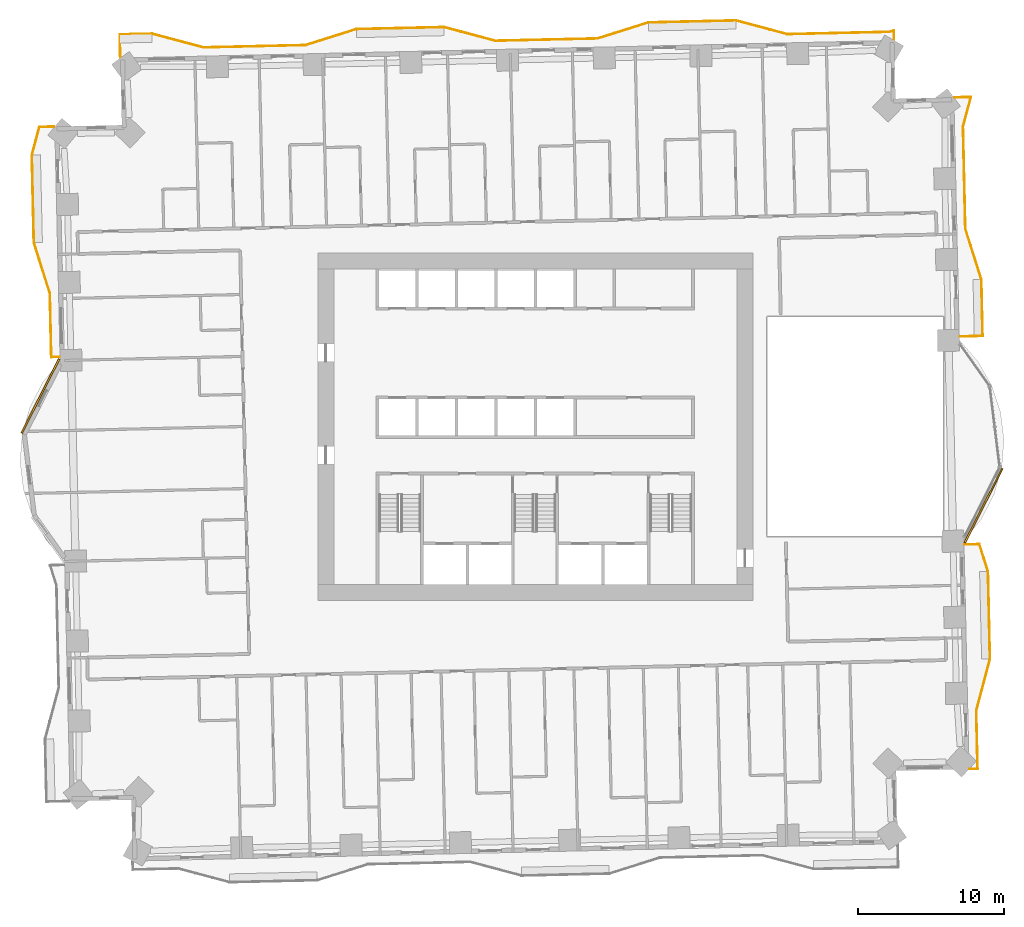
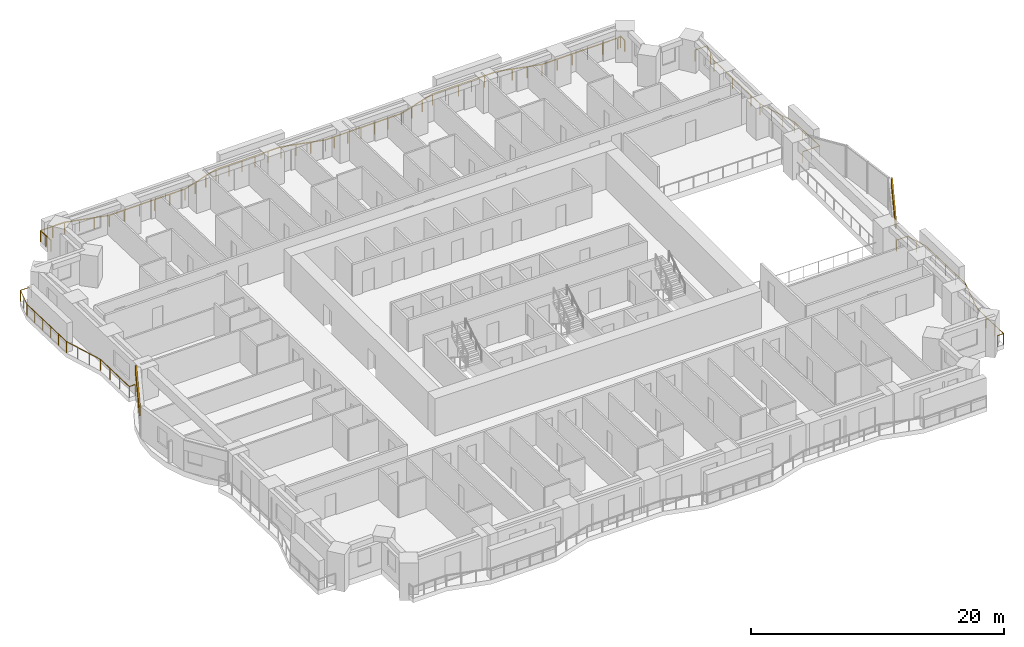
# One storey, part 16 of 16: 4 railings, 2 coverings.
"""IFC4 building model written with IfcOpenShell, lengths in metres."""

from ifc_helpers import new_model, si_unit, direction, frame, frame_2d, origin, origin_2d, place, context, subcontext, project, spatial, rectangle, extrude, material, layer, layer_set, type_object, element, save


model = new_model("IFC4")

# Units and contexts
model_context = context("Model", 3, precision=1e-05, world=origin(), true_north=direction((0.0, 1.0)))
body_context = subcontext(model_context, "Body", "Model", "MODEL_VIEW")
ifc_project = project(units=[si_unit("LENGTHUNIT", "METRE"), si_unit("AREAUNIT", "SQUARE_METRE"), si_unit("VOLUMEUNIT", "CUBIC_METRE"), si_unit("PLANEANGLEUNIT", "RADIAN"), si_unit("MASSUNIT", "GRAM", prefix="KILO")], contexts=[model_context])

# Site, building, storey
site_placement = place(None, origin())
site = spatial("IfcSite", under=ifc_project, at=site_placement, CompositionType="ELEMENT")
building_placement = place(site_placement, origin())
building = spatial("IfcBuilding", under=site, at=building_placement, Name="Mangrove Gate Tower", CompositionType="ELEMENT")
storey_placement = place(building_placement, frame((0.0, 0.0, 48.5)))
storey = spatial("IfcBuildingStorey", under=building, at=storey_placement, Name="L11", CompositionType="ELEMENT", Elevation=48.5)

# Railings
ifc_material_1 = material(Name="Stainless steel grade 316 with laminated glass infill", Category="steel")
railing_type = type_object("IfcRailingType", Name="Balcony guard 1100", PredefinedType="GUARDRAIL", material=ifc_material_1)
railing_1_placement = place(storey_placement, frame((29.742919921875, -23.444091796875, 0.0)))
element("IfcRailing", 1, at=railing_1_placement, inside=storey, type_object=railing_type, Name="GUARD L11 E1", PredefinedType="GUARDRAIL", context=body_context, shape_type="SweptSolid", body=[
    extrude(rectangle(XDim=0.048095703125, YDim=0.048095703125, at=origin_2d()), frame((0.0, 0.0, 1.076171875), z_axis=(0.999750301831, 0.022345782339, 0.0), x_axis=(-0.022345782339, 0.999750301831, 0.0)), (0.0, 0.0, 1.0), 0.54638671875),
    extrude(rectangle(XDim=0.048095703125, YDim=0.048095703125, at=origin_2d()), frame((0.546142578125, 0.01220703125, 1.076171875), z_axis=(-0.022523132843, 0.999746322067, 0.0), x_axis=(-0.999746322067, -0.022523132843, 0.0)), (0.0, 0.0, 1.0), 3.999755859375),
    extrude(rectangle(XDim=0.048095703125, YDim=0.048095703125, at=origin_2d()), frame((0.4560546875, 4.010986328125, 1.076171875), z_axis=(0.257087259162, 0.966388193831, 0.0), x_axis=(-0.966388193831, 0.257087259162, 0.0)), (0.0, 0.0, 1.0), 3.644775390625),
    extrude(rectangle(XDim=0.048095703125, YDim=0.048095703125, at=origin_2d()), frame((1.39306640625, 7.533203125, 1.076171875), z_axis=(-0.022666865795, 0.999743073592, 0.0), x_axis=(-0.999743073592, -0.022666865795, 0.0)), (0.0, 0.0, 1.0), 5.999267578125),
    extrude(rectangle(XDim=0.048095703125, YDim=0.048095703125, at=origin_2d()), frame((1.257080078125, 13.531005859375, 1.076171875), z_axis=(-0.300616640748, 0.953745057814, 0.0), x_axis=(-0.953745057814, -0.300616640748, 0.0)), (0.0, 0.0, 1.0), 1.952392578125),
    extrude(rectangle(XDim=0.048095703125, YDim=0.048095703125, at=origin_2d()), frame((0.670166015625, 15.39306640625, 1.076171875), z_axis=(-0.999746513015, -0.02251465554, 0.0), x_axis=(0.02251465554, -0.999746513015, 0.0)), (0.0, 0.0, 1.0), 1.019287109375),
    extrude(rectangle(XDim=0.0419921875, YDim=0.0419921875, at=origin_2d()), origin(), (0.0, 0.0, 1.0), 1.052001953125),
    extrude(rectangle(XDim=0.0419921875, YDim=0.0419921875, at=origin_2d()), frame((0.546142578125, 0.01220703125, 0.0)), (0.0, 0.0, 1.0), 1.052001953125),
    extrude(rectangle(XDim=0.0419921875, YDim=0.0419921875, at=origin_2d()), frame((0.51611328125, 1.34521484375, 0.0)), (0.0, 0.0, 1.0), 1.052001953125),
    extrude(rectangle(XDim=0.0419921875, YDim=0.0419921875, at=origin_2d()), frame((0.486083984375, 2.677978515625, 0.0)), (0.0, 0.0, 1.0), 1.052001953125),
    extrude(rectangle(XDim=0.0419921875, YDim=0.0419921875, at=origin_2d()), frame((0.4560546875, 4.010986328125, 0.0)), (0.0, 0.0, 1.0), 1.052001953125),
    extrude(rectangle(XDim=0.0419921875, YDim=0.0419921875, at=origin_2d()), frame((0.768310546875, 5.18505859375, 0.0)), (0.0, 0.0, 1.0), 1.052001953125),
    extrude(rectangle(XDim=0.0419921875, YDim=0.0419921875, at=origin_2d()), frame((1.080810546875, 6.359130859375, 0.0)), (0.0, 0.0, 1.0), 1.052001953125),
    extrude(rectangle(XDim=0.0419921875, YDim=0.0419921875, at=origin_2d()), frame((1.39306640625, 7.533203125, 0.0)), (0.0, 0.0, 1.0), 1.052001953125),
    extrude(rectangle(XDim=0.0419921875, YDim=0.0419921875, at=origin_2d()), frame((1.359130859375, 9.03271484375, 0.0)), (0.0, 0.0, 1.0), 1.052001953125),
    extrude(rectangle(XDim=0.0419921875, YDim=0.0419921875, at=origin_2d()), frame((1.3251953125, 10.5322265625, 0.0)), (0.0, 0.0, 1.0), 1.052001953125),
    extrude(rectangle(XDim=0.0419921875, YDim=0.0419921875, at=origin_2d()), frame((1.291015625, 12.031494140625, 0.0)), (0.0, 0.0, 1.0), 1.052001953125),
    extrude(rectangle(XDim=0.0419921875, YDim=0.0419921875, at=origin_2d()), frame((1.257080078125, 13.531005859375, 0.0)), (0.0, 0.0, 1.0), 1.052001953125),
    extrude(rectangle(XDim=0.0419921875, YDim=0.0419921875, at=origin_2d()), frame((0.963623046875, 14.4619140625, 0.0)), (0.0, 0.0, 1.0), 1.052001953125),
    extrude(rectangle(XDim=0.0419921875, YDim=0.0419921875, at=origin_2d()), frame((0.670166015625, 15.39306640625, 0.0)), (0.0, 0.0, 1.0), 1.052001953125),
    extrude(rectangle(XDim=0.0419921875, YDim=0.0419921875, at=origin_2d()), frame((-0.348876953125, 15.3701171875, 0.0)), (0.0, 0.0, 1.0), 1.052001953125),
])
railing_2_placement = place(storey_placement, frame((29.070068359375, 6.173095703125, 0.0)))
element("IfcRailing", 2, at=railing_2_placement, inside=storey, type_object=railing_type, Name="GUARD L11 E2", PredefinedType="GUARDRAIL", context=body_context, shape_type="SweptSolid", body=[
    extrude(rectangle(XDim=0.048095703125, YDim=0.048095703125, at=origin_2d()), frame((0.0, 0.0, 1.076171875), z_axis=(0.999736816093, 0.022941197622, 0.0), x_axis=(-0.022941197622, 0.999736816093, 0.0)), (0.0, 0.0, 1.0), 1.564453125),
    extrude(rectangle(XDim=0.048095703125, YDim=0.048095703125, at=origin_2d()), frame((1.56396484375, 0.035888671875, 1.076171875), z_axis=(-0.022435098042, 0.999748301512, 0.0), x_axis=(-0.999748301512, -0.022435098042, 0.0)), (0.0, 0.0, 1.0), 3.8740234375),
    extrude(rectangle(XDim=0.048095703125, YDim=0.048095703125, at=origin_2d()), frame((1.47705078125, 3.908935546875, 1.076171875), z_axis=(-0.300996735167, 0.953625170294, 0.0), x_axis=(-0.953625170294, -0.300996735167, 0.0)), (0.0, 0.0, 1.0), 3.64501953125),
    extrude(rectangle(XDim=0.048095703125, YDim=0.048095703125, at=origin_2d()), frame((0.3798828125, 7.385009765625, 1.076171875), z_axis=(-0.022706351659, 0.999742177561, 0.0), x_axis=(-0.999742177561, -0.022706351659, 0.0)), (0.0, 0.0, 1.0), 6.99951171875),
    extrude(rectangle(XDim=0.048095703125, YDim=0.048095703125, at=origin_2d()), frame((0.220947265625, 14.3828125, 1.076171875), z_axis=(0.2572322796, 0.966349602541, 0.0), x_axis=(-0.966349602541, 0.2572322796, 0.0)), (0.0, 0.0, 1.0), 2.083251953125),
    extrude(rectangle(XDim=0.048095703125, YDim=0.048095703125, at=origin_2d()), frame((0.7568359375, 16.39599609375, 1.076171875), z_axis=(-0.999751573087, -0.022288833772, 0.0), x_axis=(0.022288833772, -0.999751573087, 0.0)), (0.0, 0.0, 1.0), 1.128173828125),
    extrude(rectangle(XDim=0.0419921875, YDim=0.0419921875, at=origin_2d()), origin(), (0.0, 0.0, 1.0), 1.052001953125),
    extrude(rectangle(XDim=0.0419921875, YDim=0.0419921875, at=origin_2d()), frame((0.781982421875, 0.01806640625, 0.0)), (0.0, 0.0, 1.0), 1.052001953125),
    extrude(rectangle(XDim=0.0419921875, YDim=0.0419921875, at=origin_2d()), frame((1.56396484375, 0.035888671875, 0.0)), (0.0, 0.0, 1.0), 1.052001953125),
    extrude(rectangle(XDim=0.0419921875, YDim=0.0419921875, at=origin_2d()), frame((1.534912109375, 1.326904296875, 0.0)), (0.0, 0.0, 1.0), 1.052001953125),
    extrude(rectangle(XDim=0.0419921875, YDim=0.0419921875, at=origin_2d()), frame((1.506103515625, 2.617919921875, 0.0)), (0.0, 0.0, 1.0), 1.052001953125),
    extrude(rectangle(XDim=0.0419921875, YDim=0.0419921875, at=origin_2d()), frame((1.47705078125, 3.908935546875, 0.0)), (0.0, 0.0, 1.0), 1.052001953125),
    extrude(rectangle(XDim=0.0419921875, YDim=0.0419921875, at=origin_2d()), frame((1.111328125, 5.067626953125, 0.0)), (0.0, 0.0, 1.0), 1.052001953125),
    extrude(rectangle(XDim=0.0419921875, YDim=0.0419921875, at=origin_2d()), frame((0.74560546875, 6.226318359375, 0.0)), (0.0, 0.0, 1.0), 1.052001953125),
    extrude(rectangle(XDim=0.0419921875, YDim=0.0419921875, at=origin_2d()), frame((0.3798828125, 7.385009765625, 0.0)), (0.0, 0.0, 1.0), 1.052001953125),
    extrude(rectangle(XDim=0.0419921875, YDim=0.0419921875, at=origin_2d()), frame((0.34814453125, 8.78466796875, 0.0)), (0.0, 0.0, 1.0), 1.052001953125),
    extrude(rectangle(XDim=0.0419921875, YDim=0.0419921875, at=origin_2d()), frame((0.31640625, 10.18408203125, 0.0)), (0.0, 0.0, 1.0), 1.052001953125),
    extrude(rectangle(XDim=0.0419921875, YDim=0.0419921875, at=origin_2d()), frame((0.284423828125, 11.583740234375, 0.0)), (0.0, 0.0, 1.0), 1.052001953125),
    extrude(rectangle(XDim=0.0419921875, YDim=0.0419921875, at=origin_2d()), frame((0.252685546875, 12.983154296875, 0.0)), (0.0, 0.0, 1.0), 1.052001953125),
    extrude(rectangle(XDim=0.0419921875, YDim=0.0419921875, at=origin_2d()), frame((0.220947265625, 14.3828125, 0.0)), (0.0, 0.0, 1.0), 1.052001953125),
    extrude(rectangle(XDim=0.0419921875, YDim=0.0419921875, at=origin_2d()), frame((0.48876953125, 15.389404296875, 0.0)), (0.0, 0.0, 1.0), 1.052001953125),
    extrude(rectangle(XDim=0.0419921875, YDim=0.0419921875, at=origin_2d()), frame((0.7568359375, 16.39599609375, 0.0)), (0.0, 0.0, 1.0), 1.052001953125),
    extrude(rectangle(XDim=0.0419921875, YDim=0.0419921875, at=origin_2d()), frame((-0.37109375, 16.370849609375, 0.0)), (0.0, 0.0, 1.0), 1.052001953125),
])
railing_3_placement = place(storey_placement, frame((24.568115234375, 26.490966796875, 0.0)))
element("IfcRailing", 3, at=railing_3_placement, inside=storey, type_object=railing_type, Name="GUARD L11 N1", PredefinedType="GUARDRAIL", context=body_context, shape_type="SweptSolid", body=[
    extrude(rectangle(XDim=0.048095703125, YDim=0.048095703125, at=origin_2d()), frame((0.0, 0.0, 1.076171875), z_axis=(-0.022327893988, 0.9997507015, 0.0), x_axis=(-0.9997507015, -0.022327893988, 0.0)), (0.0, 0.0, 1.0), 0.63427734375),
    extrude(rectangle(XDim=0.048095703125, YDim=0.048095703125, at=origin_2d()), frame((-0.01416015625, 0.634033203125, 1.076171875), z_axis=(-0.953641715318, -0.300944311801, 0.0), x_axis=(0.300944311801, -0.953641715318, 0.0)), (0.0, 0.0, 1.0), 0.312255859375),
    extrude(rectangle(XDim=0.048095703125, YDim=0.048095703125, at=origin_2d()), frame((-0.31201171875, 0.5400390625, 1.076171875), z_axis=(-0.999742195543, -0.022705559911, 0.0), x_axis=(0.022705559911, -0.999742195543, 0.0)), (0.0, 0.0, 1.0), 6.999755859375),
    extrude(rectangle(XDim=0.048095703125, YDim=0.048095703125, at=origin_2d()), frame((-7.31005859375, 0.381103515625, 1.076171875), z_axis=(-0.966317161661, 0.257354119999, 0.0), x_axis=(-0.257354119999, -0.966317161661, 0.0)), (0.0, 0.0, 1.0), 3.644775390625),
    extrude(rectangle(XDim=0.048095703125, YDim=0.048095703125, at=origin_2d()), frame((-10.83203125, 1.319091796875, 1.076171875), z_axis=(-0.999743178102, -0.022662255828, 0.0), x_axis=(0.022662255828, -0.999743178102, 0.0)), (0.0, 0.0, 1.0), 6.00048828125),
    extrude(rectangle(XDim=0.048095703125, YDim=0.048095703125, at=origin_2d()), frame((-16.8310546875, 1.18310546875, 1.076171875), z_axis=(-0.953625170294, -0.300996735167, 0.0), x_axis=(0.300996735167, -0.953625170294, 0.0)), (0.0, 0.0, 1.0), 3.64501953125),
    extrude(rectangle(XDim=0.048095703125, YDim=0.048095703125, at=origin_2d()), frame((-20.30712890625, 0.0859375, 1.076171875), z_axis=(-0.999745381129, -0.022564860101, 0.0), x_axis=(0.022564860101, -0.999745381129, 0.0)), (0.0, 0.0, 1.0), 6.199462890625),
    extrude(rectangle(XDim=0.048095703125, YDim=0.048095703125, at=origin_2d()), frame((-26.505126953125, -0.053955078125, 1.076171875), z_axis=(-0.999716846562, -0.023795518472, 0.0), x_axis=(0.023795518472, -0.999716846562, 0.0)), (0.0, 0.0, 1.0), 0.80029296875),
    extrude(rectangle(XDim=0.048095703125, YDim=0.048095703125, at=origin_2d()), frame((-27.30517578125, -0.072998046875, 1.076171875), z_axis=(-0.966317161661, 0.257354119999, 0.0), x_axis=(-0.257354119999, -0.966317161661, 0.0)), (0.0, 0.0, 1.0), 3.644775390625),
    extrude(rectangle(XDim=0.048095703125, YDim=0.048095703125, at=origin_2d()), frame((-30.8271484375, 0.864990234375, 1.076171875), z_axis=(-0.999743178102, -0.022662255828, 0.0), x_axis=(0.022662255828, -0.999743178102, 0.0)), (0.0, 0.0, 1.0), 6.00048828125),
    extrude(rectangle(XDim=0.048095703125, YDim=0.048095703125, at=origin_2d()), frame((-36.826171875, 0.72900390625, 1.076171875), z_axis=(-0.953638327477, -0.300955047085, 0.0), x_axis=(0.300955047085, -0.953638327477, 0.0)), (0.0, 0.0, 1.0), 3.644775390625),
    extrude(rectangle(XDim=0.048095703125, YDim=0.048095703125, at=origin_2d()), frame((-40.302001953125, -0.367919921875, 1.076171875), z_axis=(-0.999745352708, -0.022566119286, 0.0), x_axis=(0.022566119286, -0.999745352708, 0.0)), (0.0, 0.0, 1.0), 6.999755859375),
    extrude(rectangle(XDim=0.048095703125, YDim=0.048095703125, at=origin_2d()), frame((-47.300048828125, -0.52587890625, 1.076171875), z_axis=(-0.966317161661, 0.257354119999, 0.0), x_axis=(-0.257354119999, -0.966317161661, 0.0)), (0.0, 0.0, 1.0), 3.644775390625),
    extrude(rectangle(XDim=0.048095703125, YDim=0.048095703125, at=origin_2d()), frame((-50.822021484375, 0.412109375, 1.076171875), z_axis=(-0.999741090068, -0.022754182687, 0.0), x_axis=(0.022754182687, -0.999741090068, 0.0)), (0.0, 0.0, 1.0), 2.199462890625),
    extrude(rectangle(XDim=0.048095703125, YDim=0.048095703125, at=origin_2d()), frame((-53.02099609375, 0.362060546875, 1.076171875), z_axis=(0.022317262607, -0.999750938879, 0.0), x_axis=(0.999750938879, 0.022317262607, 0.0)), (0.0, 0.0, 1.0), 1.564453125),
    extrude(rectangle(XDim=0.0419921875, YDim=0.0419921875, at=origin_2d()), origin(), (0.0, 0.0, 1.0), 1.052001953125),
    extrude(rectangle(XDim=0.0419921875, YDim=0.0419921875, at=origin_2d()), frame((-0.01416015625, 0.634033203125, 0.0)), (0.0, 0.0, 1.0), 1.052001953125),
    extrude(rectangle(XDim=0.0419921875, YDim=0.0419921875, at=origin_2d()), frame((-0.31201171875, 0.5400390625, 0.0)), (0.0, 0.0, 1.0), 1.052001953125),
    extrude(rectangle(XDim=0.0419921875, YDim=0.0419921875, at=origin_2d()), frame((-1.711669921875, 0.50830078125, 0.0)), (0.0, 0.0, 1.0), 1.052001953125),
    extrude(rectangle(XDim=0.0419921875, YDim=0.0419921875, at=origin_2d()), frame((-3.111328125, 0.4765625, 0.0)), (0.0, 0.0, 1.0), 1.052001953125),
    extrude(rectangle(XDim=0.0419921875, YDim=0.0419921875, at=origin_2d()), frame((-4.5107421875, 0.444580078125, 0.0)), (0.0, 0.0, 1.0), 1.052001953125),
    extrude(rectangle(XDim=0.0419921875, YDim=0.0419921875, at=origin_2d()), frame((-5.910400390625, 0.412841796875, 0.0)), (0.0, 0.0, 1.0), 1.052001953125),
    extrude(rectangle(XDim=0.0419921875, YDim=0.0419921875, at=origin_2d()), frame((-7.31005859375, 0.381103515625, 0.0)), (0.0, 0.0, 1.0), 1.052001953125),
    extrude(rectangle(XDim=0.0419921875, YDim=0.0419921875, at=origin_2d()), frame((-8.484130859375, 0.69384765625, 0.0)), (0.0, 0.0, 1.0), 1.052001953125),
    extrude(rectangle(XDim=0.0419921875, YDim=0.0419921875, at=origin_2d()), frame((-9.657958984375, 1.00634765625, 0.0)), (0.0, 0.0, 1.0), 1.052001953125),
    extrude(rectangle(XDim=0.0419921875, YDim=0.0419921875, at=origin_2d()), frame((-10.83203125, 1.319091796875, 0.0)), (0.0, 0.0, 1.0), 1.052001953125),
    extrude(rectangle(XDim=0.0419921875, YDim=0.0419921875, at=origin_2d()), frame((-12.03173828125, 1.2919921875, 0.0)), (0.0, 0.0, 1.0), 1.052001953125),
    extrude(rectangle(XDim=0.0419921875, YDim=0.0419921875, at=origin_2d()), frame((-13.231689453125, 1.2646484375, 0.0)), (0.0, 0.0, 1.0), 1.052001953125),
    extrude(rectangle(XDim=0.0419921875, YDim=0.0419921875, at=origin_2d()), frame((-14.431396484375, 1.237548828125, 0.0)), (0.0, 0.0, 1.0), 1.052001953125),
    extrude(rectangle(XDim=0.0419921875, YDim=0.0419921875, at=origin_2d()), frame((-15.63134765625, 1.210205078125, 0.0)), (0.0, 0.0, 1.0), 1.052001953125),
    extrude(rectangle(XDim=0.0419921875, YDim=0.0419921875, at=origin_2d()), frame((-16.8310546875, 1.18310546875, 0.0)), (0.0, 0.0, 1.0), 1.052001953125),
    extrude(rectangle(XDim=0.0419921875, YDim=0.0419921875, at=origin_2d()), frame((-17.98974609375, 0.8173828125, 0.0)), (0.0, 0.0, 1.0), 1.052001953125),
    extrude(rectangle(XDim=0.0419921875, YDim=0.0419921875, at=origin_2d()), frame((-19.1484375, 0.45166015625, 0.0)), (0.0, 0.0, 1.0), 1.052001953125),
    extrude(rectangle(XDim=0.0419921875, YDim=0.0419921875, at=origin_2d()), frame((-20.30712890625, 0.0859375, 0.0)), (0.0, 0.0, 1.0), 1.052001953125),
    extrude(rectangle(XDim=0.0419921875, YDim=0.0419921875, at=origin_2d()), frame((-21.546630859375, 0.057861328125, 0.0)), (0.0, 0.0, 1.0), 1.052001953125),
    extrude(rectangle(XDim=0.0419921875, YDim=0.0419921875, at=origin_2d()), frame((-22.786376953125, 0.030029296875, 0.0)), (0.0, 0.0, 1.0), 1.052001953125),
    extrude(rectangle(XDim=0.0419921875, YDim=0.0419921875, at=origin_2d()), frame((-24.02587890625, 0.001953125, 0.0)), (0.0, 0.0, 1.0), 1.052001953125),
    extrude(rectangle(XDim=0.0419921875, YDim=0.0419921875, at=origin_2d()), frame((-25.265625, -0.02587890625, 0.0)), (0.0, 0.0, 1.0), 1.052001953125),
    extrude(rectangle(XDim=0.0419921875, YDim=0.0419921875, at=origin_2d()), frame((-26.505126953125, -0.053955078125, 0.0)), (0.0, 0.0, 1.0), 1.052001953125),
    extrude(rectangle(XDim=0.0419921875, YDim=0.0419921875, at=origin_2d()), frame((-27.30517578125, -0.072998046875, 0.0)), (0.0, 0.0, 1.0), 1.052001953125),
    extrude(rectangle(XDim=0.0419921875, YDim=0.0419921875, at=origin_2d()), frame((-28.479248046875, 0.23974609375, 0.0)), (0.0, 0.0, 1.0), 1.052001953125),
    extrude(rectangle(XDim=0.0419921875, YDim=0.0419921875, at=origin_2d()), frame((-29.653076171875, 0.55224609375, 0.0)), (0.0, 0.0, 1.0), 1.052001953125),
    extrude(rectangle(XDim=0.0419921875, YDim=0.0419921875, at=origin_2d()), frame((-30.8271484375, 0.864990234375, 0.0)), (0.0, 0.0, 1.0), 1.052001953125),
    extrude(rectangle(XDim=0.0419921875, YDim=0.0419921875, at=origin_2d()), frame((-32.02685546875, 0.837890625, 0.0)), (0.0, 0.0, 1.0), 1.052001953125),
    extrude(rectangle(XDim=0.0419921875, YDim=0.0419921875, at=origin_2d()), frame((-33.226806640625, 0.810546875, 0.0)), (0.0, 0.0, 1.0), 1.052001953125),
    extrude(rectangle(XDim=0.0419921875, YDim=0.0419921875, at=origin_2d()), frame((-34.426513671875, 0.783447265625, 0.0)), (0.0, 0.0, 1.0), 1.052001953125),
    extrude(rectangle(XDim=0.0419921875, YDim=0.0419921875, at=origin_2d()), frame((-35.62646484375, 0.756103515625, 0.0)), (0.0, 0.0, 1.0), 1.052001953125),
    extrude(rectangle(XDim=0.0419921875, YDim=0.0419921875, at=origin_2d()), frame((-36.826171875, 0.72900390625, 0.0)), (0.0, 0.0, 1.0), 1.052001953125),
    extrude(rectangle(XDim=0.0419921875, YDim=0.0419921875, at=origin_2d()), frame((-37.98486328125, 0.36328125, 0.0)), (0.0, 0.0, 1.0), 1.052001953125),
    extrude(rectangle(XDim=0.0419921875, YDim=0.0419921875, at=origin_2d()), frame((-39.143310546875, -0.002197265625, 0.0)), (0.0, 0.0, 1.0), 1.052001953125),
    extrude(rectangle(XDim=0.0419921875, YDim=0.0419921875, at=origin_2d()), frame((-40.302001953125, -0.367919921875, 0.0)), (0.0, 0.0, 1.0), 1.052001953125),
    extrude(rectangle(XDim=0.0419921875, YDim=0.0419921875, at=origin_2d()), frame((-41.70166015625, -0.3994140625, 0.0)), (0.0, 0.0, 1.0), 1.052001953125),
    extrude(rectangle(XDim=0.0419921875, YDim=0.0419921875, at=origin_2d()), frame((-43.101318359375, -0.43115234375, 0.0)), (0.0, 0.0, 1.0), 1.052001953125),
    extrude(rectangle(XDim=0.0419921875, YDim=0.0419921875, at=origin_2d()), frame((-44.500732421875, -0.462646484375, 0.0)), (0.0, 0.0, 1.0), 1.052001953125),
    extrude(rectangle(XDim=0.0419921875, YDim=0.0419921875, at=origin_2d()), frame((-45.900390625, -0.494384765625, 0.0)), (0.0, 0.0, 1.0), 1.052001953125),
    extrude(rectangle(XDim=0.0419921875, YDim=0.0419921875, at=origin_2d()), frame((-47.300048828125, -0.52587890625, 0.0)), (0.0, 0.0, 1.0), 1.052001953125),
    extrude(rectangle(XDim=0.0419921875, YDim=0.0419921875, at=origin_2d()), frame((-48.47412109375, -0.213134765625, 0.0)), (0.0, 0.0, 1.0), 1.052001953125),
    extrude(rectangle(XDim=0.0419921875, YDim=0.0419921875, at=origin_2d()), frame((-49.64794921875, 0.099365234375, 0.0)), (0.0, 0.0, 1.0), 1.052001953125),
    extrude(rectangle(XDim=0.0419921875, YDim=0.0419921875, at=origin_2d()), frame((-50.822021484375, 0.412109375, 0.0)), (0.0, 0.0, 1.0), 1.052001953125),
    extrude(rectangle(XDim=0.0419921875, YDim=0.0419921875, at=origin_2d()), frame((-51.92138671875, 0.38720703125, 0.0)), (0.0, 0.0, 1.0), 1.052001953125),
    extrude(rectangle(XDim=0.0419921875, YDim=0.0419921875, at=origin_2d()), frame((-53.02099609375, 0.362060546875, 0.0)), (0.0, 0.0, 1.0), 1.052001953125),
    extrude(rectangle(XDim=0.0419921875, YDim=0.0419921875, at=origin_2d()), frame((-53.00341796875, -0.419921875, 0.0)), (0.0, 0.0, 1.0), 1.052001953125),
    extrude(rectangle(XDim=0.0419921875, YDim=0.0419921875, at=origin_2d()), frame((-52.986083984375, -1.201904296875, 0.0)), (0.0, 0.0, 1.0), 1.052001953125),
])
railing_4_placement = place(storey_placement, frame((-32.951904296875, 20.5439453125, 0.0)))
element("IfcRailing", 4, at=railing_4_placement, inside=storey, type_object=railing_type, Name="GUARD L11 W1", PredefinedType="GUARDRAIL", context=body_context, shape_type="SweptSolid", body=[
    extrude(rectangle(XDim=0.048095703125, YDim=0.048095703125, at=origin_2d()), frame((0.0, 0.0, 1.076171875), z_axis=(-0.999763902854, -0.021728749398, 0.0), x_axis=(0.021728749398, -0.999763902854, 0.0)), (0.0, 0.0, 1.0), 1.01123046875),
    extrude(rectangle(XDim=0.048095703125, YDim=0.048095703125, at=origin_2d()), frame((-1.010986328125, -0.02197265625, 1.076171875), z_axis=(-0.257747123426, -0.966212409549, 0.0), x_axis=(0.966212409549, -0.257747123426, 0.0)), (0.0, 0.0, 1.0), 1.978759765625),
    extrude(rectangle(XDim=0.048095703125, YDim=0.048095703125, at=origin_2d()), frame((-1.52099609375, -1.933837890625, 1.076171875), z_axis=(0.022824916448, -0.999739477659, 0.0), x_axis=(0.999739477659, 0.022824916448, 0.0)), (0.0, 0.0, 1.0), 6.00048828125),
    extrude(rectangle(XDim=0.048095703125, YDim=0.048095703125, at=origin_2d()), frame((-1.384033203125, -7.932861328125, 1.076171875), z_axis=(0.300692142264, -0.953721256752, 0.0), x_axis=(0.953721256752, 0.300692142264, 0.0)), (0.0, 0.0, 1.0), 3.644775390625),
    extrude(rectangle(XDim=0.048095703125, YDim=0.048095703125, at=origin_2d()), frame((-0.2880859375, -11.408935546875, 1.076171875), z_axis=(0.022599718713, -0.999744593741, 0.0), x_axis=(0.999744593741, 0.022599718713, 0.0)), (0.0, 0.0, 1.0), 4.375244140625),
    extrude(rectangle(XDim=0.048095703125, YDim=0.048095703125, at=origin_2d()), frame((-0.189208984375, -15.782958984375, 1.076171875), z_axis=(0.99972045232, 0.023643544834, 0.0), x_axis=(-0.023643544834, 0.99972045232, 0.0)), (0.0, 0.0, 1.0), 0.54736328125),
    extrude(rectangle(XDim=0.0419921875, YDim=0.0419921875, at=origin_2d()), origin(), (0.0, 0.0, 1.0), 1.052001953125),
    extrude(rectangle(XDim=0.0419921875, YDim=0.0419921875, at=origin_2d()), frame((-1.010986328125, -0.02197265625, 0.0)), (0.0, 0.0, 1.0), 1.052001953125),
    extrude(rectangle(XDim=0.0419921875, YDim=0.0419921875, at=origin_2d()), frame((-1.26611328125, -0.97802734375, 0.0)), (0.0, 0.0, 1.0), 1.052001953125),
    extrude(rectangle(XDim=0.0419921875, YDim=0.0419921875, at=origin_2d()), frame((-1.52099609375, -1.933837890625, 0.0)), (0.0, 0.0, 1.0), 1.052001953125),
    extrude(rectangle(XDim=0.0419921875, YDim=0.0419921875, at=origin_2d()), frame((-1.49365234375, -3.133544921875, 0.0)), (0.0, 0.0, 1.0), 1.052001953125),
    extrude(rectangle(XDim=0.0419921875, YDim=0.0419921875, at=origin_2d()), frame((-1.46630859375, -4.33349609375, 0.0)), (0.0, 0.0, 1.0), 1.052001953125),
    extrude(rectangle(XDim=0.0419921875, YDim=0.0419921875, at=origin_2d()), frame((-1.438720703125, -5.533203125, 0.0)), (0.0, 0.0, 1.0), 1.052001953125),
    extrude(rectangle(XDim=0.0419921875, YDim=0.0419921875, at=origin_2d()), frame((-1.411376953125, -6.733154296875, 0.0)), (0.0, 0.0, 1.0), 1.052001953125),
    extrude(rectangle(XDim=0.0419921875, YDim=0.0419921875, at=origin_2d()), frame((-1.384033203125, -7.932861328125, 0.0)), (0.0, 0.0, 1.0), 1.052001953125),
    extrude(rectangle(XDim=0.0419921875, YDim=0.0419921875, at=origin_2d()), frame((-1.018798828125, -9.091552734375, 0.0)), (0.0, 0.0, 1.0), 1.052001953125),
    extrude(rectangle(XDim=0.0419921875, YDim=0.0419921875, at=origin_2d()), frame((-0.6533203125, -10.250244140625, 0.0)), (0.0, 0.0, 1.0), 1.052001953125),
    extrude(rectangle(XDim=0.0419921875, YDim=0.0419921875, at=origin_2d()), frame((-0.2880859375, -11.408935546875, 0.0)), (0.0, 0.0, 1.0), 1.052001953125),
    extrude(rectangle(XDim=0.0419921875, YDim=0.0419921875, at=origin_2d()), frame((-0.255126953125, -12.866943359375, 0.0)), (0.0, 0.0, 1.0), 1.052001953125),
    extrude(rectangle(XDim=0.0419921875, YDim=0.0419921875, at=origin_2d()), frame((-0.22216796875, -14.324951171875, 0.0)), (0.0, 0.0, 1.0), 1.052001953125),
    extrude(rectangle(XDim=0.0419921875, YDim=0.0419921875, at=origin_2d()), frame((-0.189208984375, -15.782958984375, 0.0)), (0.0, 0.0, 1.0), 1.052001953125),
    extrude(rectangle(XDim=0.0419921875, YDim=0.0419921875, at=origin_2d()), frame((0.35791015625, -15.77001953125, 0.0)), (0.0, 0.0, 1.0), 1.052001953125),
])

# Coverings
ifc_material_2 = material(Name="Limestone", Category="masonry")
ifc_layer_1 = layer(ifc_material_2, 0.0400390625, Name="Limestone cladding")
ifc_material_3 = material(Name="Stainless steel anchors and cavity", Category="steel")
ifc_layer_2 = layer(ifc_material_3, 0.080078125, Name="Fixing cavity")
ifc_layer_set = layer_set([ifc_layer_1, ifc_layer_2], Name="Joint fascia cladding 120")
covering_type = type_object("IfcCoveringType", Name="Joint fascia cladding 120", PredefinedType="CLADDING", material=ifc_layer_set)
covering_1_placement = place(storey_placement, frame((29.401123046875, -7.947021484375, 2.10009765625), z_axis=(0.0, 0.0, 1.0), x_axis=(0.452649950178, 0.891688299017, 0.0)))
element("IfcCovering", 5, at=covering_1_placement, inside=storey, type_object=covering_type, Name="STONE FASCIA L11 E1.L1", PredefinedType="CLADDING", context=body_context, shape_type="SweptSolid", body=[
    extrude(rectangle(XDim=5.70361328125, YDim=0.1201171875, at=frame_2d((2.851806640625, 0.0))), origin(), (0.0, 0.0, 1.0), 0.949951171875),
])
covering_2_placement = place(storey_placement, frame((-32.601318359375, 4.6474609375, 2.10009765625), z_axis=(0.0, 0.0, 1.0), x_axis=(-0.452615399326, -0.89170583731, 0.0)))
element("IfcCovering", 6, at=covering_2_placement, inside=storey, type_object=covering_type, Name="STONE FASCIA L11 W9.L1", PredefinedType="CLADDING", context=body_context, shape_type="SweptSolid", body=[
    extrude(rectangle(XDim=5.7041015625, YDim=0.1201171875, at=frame_2d((2.85205078125, 0.0))), origin(), (0.0, 0.0, 1.0), 0.949951171875),
])

save(model, "model.ifc")
